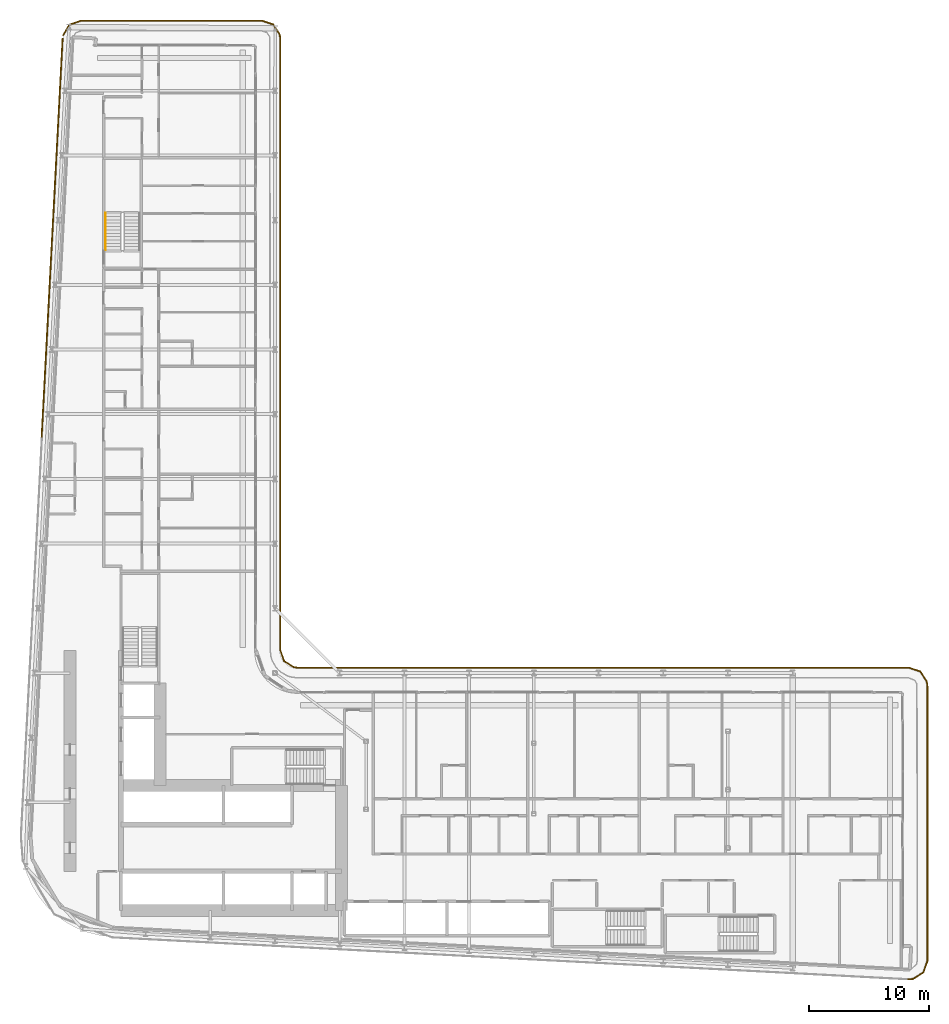
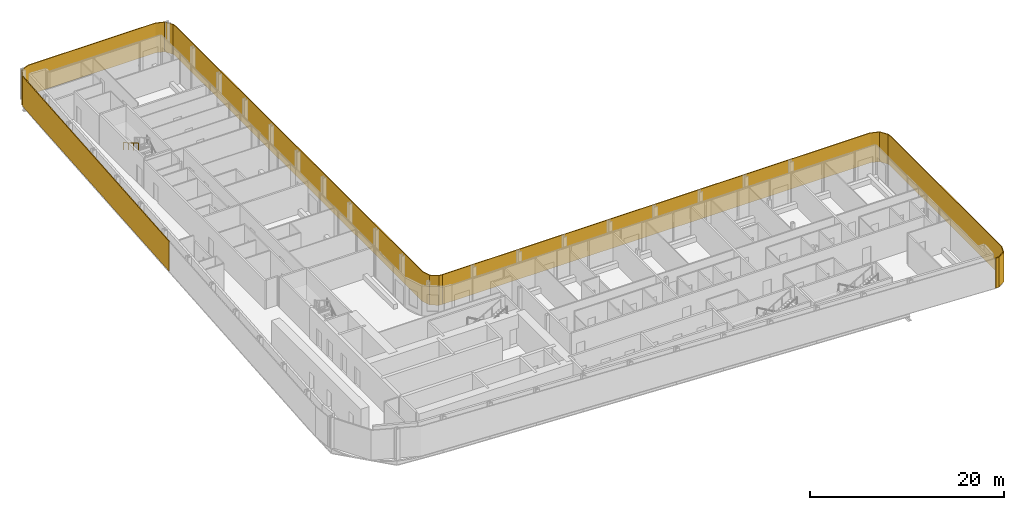
# One storey, part 25 of 27: 3 shading devices, 1 railing.
"""IFC4 building model written with IfcOpenShell, lengths in metres."""

from ifc_helpers import new_model, si_unit, direction, frame, origin, origin_2d, place, context, subcontext, project, spatial, polyline, rectangle, circle, outline, extrude, material, layer, layer_set, type_object, element, save


model = new_model("IFC4")

# Units and contexts
model_context = context("Model", 3, precision=1e-05, world=origin(), true_north=direction((0.0, 1.0)))
body_context = subcontext(model_context, "Body", "Model", "MODEL_VIEW")
ifc_project = project(units=[si_unit("LENGTHUNIT", "METRE"), si_unit("AREAUNIT", "SQUARE_METRE"), si_unit("VOLUMEUNIT", "CUBIC_METRE"), si_unit("PLANEANGLEUNIT", "RADIAN"), si_unit("MASSUNIT", "GRAM", prefix="KILO")], contexts=[model_context])

# Site, building, storey
site_placement = place(None, origin())
site = spatial("IfcSite", under=ifc_project, at=site_placement, CompositionType="ELEMENT")
building_placement = place(site_placement, origin())
building = spatial("IfcBuilding", under=site, at=building_placement, Name="Kheshtan School and Residences Tower", CompositionType="ELEMENT")
storey_placement = place(building_placement, frame((0.0, 0.0, 57.800048828125)))
storey = spatial("IfcBuildingStorey", under=building, at=storey_placement, Name="L13", CompositionType="ELEMENT", Elevation=57.800048828125)

# Shading devices
ifc_material_1 = material(Name="Terracotta baguette, extruded ceramic", Category="masonry")
ifc_layer_1 = layer(ifc_material_1, 0.10009765625)
ifc_layer_set_1 = layer_set([ifc_layer_1], Name="Ledge screen, terracotta baguettes")
shading_device_type_1 = type_object("IfcShadingDeviceType", Name="Ledge screen, terracotta baguettes", PredefinedType="USERDEFINED", material=ifc_layer_set_1)
shading_device_1_placement = place(storey_placement, frame((28.9990234375, 81.93408203125, 0.0), z_axis=(0.0, 0.0, 1.0), x_axis=(0.052562536748, 0.998617634398, 0.0)))
element("IfcShadingDevice", 1, at=shading_device_1_placement, inside=storey, type_object=shading_device_type_1, Name="Screen L13 5", ObjectType="BAGUETTE", PredefinedType="USERDEFINED", context=body_context, shape_type="SweptSolid", body=[
    extrude(rectangle(XDim=33.341064453125, YDim=0.10009765625, at=origin_2d()), origin(), (0.0, 0.0, 1.0), 3.75),
])
ifc_material_2 = material(Name="Terracotta lattice, extruded ceramic", Category="masonry")
ifc_layer_2 = layer(ifc_material_2, 0.10009765625)
ifc_layer_set_2 = layer_set([ifc_layer_2], Name="Loggia screen, terracotta lattice")
shading_device_type_2 = type_object("IfcShadingDeviceType", Name="Loggia screen, terracotta lattice", PredefinedType="USERDEFINED", material=ifc_layer_set_2)
shading_device_2_placement = place(storey_placement, origin())
element("IfcShadingDevice", 2, at=shading_device_2_placement, inside=storey, type_object=shading_device_type_2, Name="Screen L13 1", ObjectType="SCREEN", PredefinedType="USERDEFINED", context=body_context, shape_type="SweptSolid", body=[
    extrude(outline(polyline([(29.949951171875, 98.783935546875), (30.468017578125, 99.656982421875), (31.423095703125, 100.0), (46.5, 100.0), (47.4130859375, 99.68994140625), (47.948974609375, 98.887939453125), (48.0, 98.5), (48.0, 47.5), (48.31005859375, 46.5869140625), (49.112060546875, 46.051025390625), (49.5, 46.0), (49.512939453125, 46.09912109375), (49.14794921875, 46.14697265625), (48.39404296875, 46.65087890625), (48.10009765625, 47.51708984375), (48.10009765625, 98.507080078125), (48.044921875, 98.924072265625), (47.47705078125, 99.77392578125), (46.51708984375, 100.10009765625), (31.406005859375, 100.10009765625), (30.39990234375, 99.739013671875), (29.864013671875, 98.8349609375), (29.949951171875, 98.783935546875)])), origin(), (0.0, 0.0, 1.0), 3.75),
])
shading_device_3_placement = place(storey_placement, origin())
element("IfcShadingDevice", 3, at=shading_device_3_placement, inside=storey, type_object=shading_device_type_2, Name="Screen L13 2", ObjectType="SCREEN", PredefinedType="USERDEFINED", context=body_context, shape_type="SweptSolid", body=[
    extrude(outline(polyline([(49.5, 46.0), (100.5, 46.0), (101.4130859375, 45.68994140625), (101.948974609375, 44.887939453125), (102.0, 44.5), (102.0, 21.5810546875), (101.669921875, 20.64208984375), (100.823974609375, 20.116943359375), (100.4208984375, 20.0830078125), (100.428955078125, 19.98291015625), (100.85595703125, 20.01904296875), (101.7529296875, 20.575927734375), (102.10009765625, 21.56396484375), (102.10009765625, 44.507080078125), (102.044921875, 44.924072265625), (101.47705078125, 45.77392578125), (100.51708984375, 46.10009765625), (49.5, 46.10009765625), (49.5, 46.0)])), origin(), (0.0, 0.0, 1.0), 3.75),
])

# Railing
ifc_material_3 = material(Name="Stainless steel handrail", Category="steel")
railing_type = type_object("IfcRailingType", Name="Stair handrail 900", PredefinedType="HANDRAIL", material=ifc_material_3)
railing_placement = place(storey_placement, frame((33.449951171875, 83.97998046875, 2.112548828125)))
element("IfcRailing", 4, at=railing_placement, inside=storey, type_object=railing_type, Name="L13 ST3 stair handrail 2", PredefinedType="HANDRAIL", context=body_context, shape_type="SweptSolid", body=[
    extrude(circle(Radius=0.02392578125, at=origin_2d()), frame((0.0, 0.0, 0.8759765625), z_axis=(0.0, -0.864920483161, 0.501908913857), x_axis=(1.0, 0.0, 0.0)), (0.0, 0.0, 1.0), 3.56103515625),
    extrude(circle(Radius=0.02099609375, at=origin_2d()), origin(), (0.0, 0.0, 1.0), 0.851806640625),
    extrude(circle(Radius=0.02099609375, at=origin_2d()), frame((0.0, -1.026611328125, 0.595703125)), (0.0, 0.0, 1.0), 0.851806640625),
    extrude(circle(Radius=0.02099609375, at=origin_2d()), frame((0.0, -2.053466796875, 1.191650390625)), (0.0, 0.0, 1.0), 0.851806640625),
    extrude(circle(Radius=0.02099609375, at=origin_2d()), frame((0.0, -3.080078125, 1.787353515625)), (0.0, 0.0, 1.0), 0.851806640625),
])

save(model, "model.ifc")
